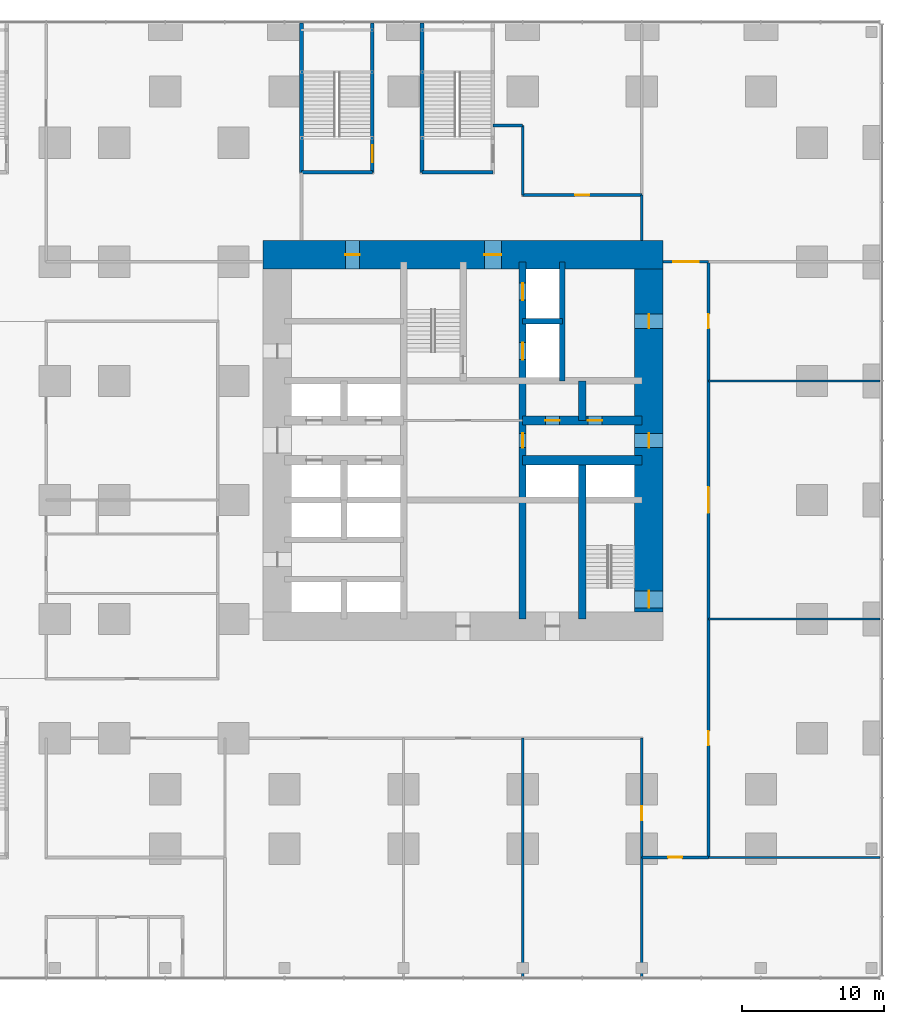
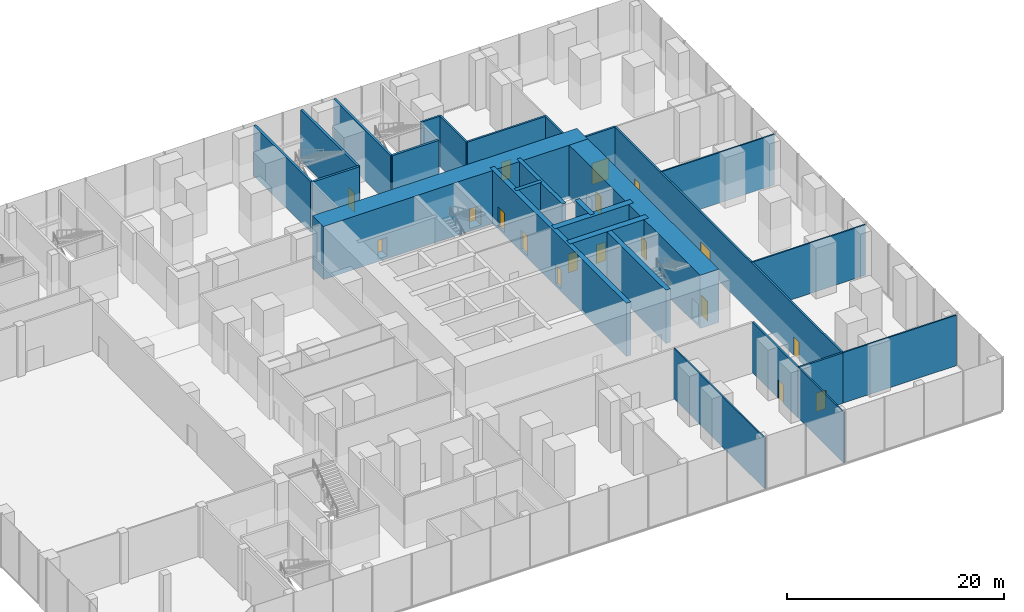
# One storey, part 28 of 32: 27 walls, 18 doors, 18 openings.
"""IFC4 building model written with IfcOpenShell, lengths in metres."""

from ifc_helpers import new_model, si_unit, direction, frame, frame_2d, origin, place, context, subcontext, project, spatial, rectangle, extrude, material, layer, layer_set, type_object, element, fill, save


model = new_model("IFC4")

# Units and contexts
model_context = context("Model", 3, precision=1e-05, world=origin(), true_north=direction((0.0, 1.0)))
body_context = subcontext(model_context, "Body", "Model", "MODEL_VIEW")
ifc_project = project(units=[si_unit("LENGTHUNIT", "METRE"), si_unit("AREAUNIT", "SQUARE_METRE"), si_unit("VOLUMEUNIT", "CUBIC_METRE"), si_unit("PLANEANGLEUNIT", "RADIAN"), si_unit("MASSUNIT", "GRAM", prefix="KILO")], contexts=[model_context])

# Site, building, storey
site_placement = place(None, origin())
site = spatial("IfcSite", under=ifc_project, at=site_placement, CompositionType="ELEMENT")
building_placement = place(site_placement, origin())
building = spatial("IfcBuilding", under=site, at=building_placement, Name="Dunama Terrace Hotel", CompositionType="ELEMENT")
storey_placement = place(building_placement, frame((0.0, 0.0, 6.0)))
storey = spatial("IfcBuildingStorey", under=building, at=storey_placement, Name="L01", CompositionType="ELEMENT", Elevation=6.0)

# Walls
ifc_material_1 = material(Name="Concrete C50/60", Category="concrete")
ifc_layer_1 = layer(ifc_material_1, 0.39990234375)
ifc_layer_set_1 = layer_set([ifc_layer_1], Name="Core inner wall 400")
wall_type_1 = type_object("IfcWallType", Name="Core inner wall 400", PredefinedType="SHEAR", material=ifc_layer_set_1)
wall_1_placement = place(storey_placement, frame((36.39990234375, 33.60009765625, -0.300048828125), z_axis=(0.0, 0.0, 1.0), x_axis=(0.0, 1.0, 0.0)))
element("IfcWall", 1, at=wall_1_placement, inside=storey, type_object=wall_type_1, Name="Core inner wall 400 L01", PredefinedType="SHEAR", context=body_context, shape_type="SweptSolid", body=[
    extrude(rectangle(XDim=8.39990234375, YDim=0.39990234375, at=frame_2d((4.199951171875, 0.0))), origin(), (0.0, 0.0, 1.0), 6.0),
])
wall_2_placement = place(storey_placement, frame((33.60009765625, 37.800048828125, -0.300048828125), z_axis=(0.0, 0.0, 1.0), x_axis=(1.0, 0.0, 0.0)))
element("IfcWall", 2, at=wall_2_placement, inside=storey, type_object=wall_type_1, Name="Core inner wall 400 L01", PredefinedType="SHEAR", context=body_context, shape_type="SweptSolid", body=[
    extrude(rectangle(XDim=2.7998046875, YDim=0.39990234375, at=frame_2d((1.39990234375, 0.0))), origin(), (0.0, 0.0, 1.0), 6.0),
])

# Wall, openings, doors
ifc_material_2 = material(Name="Concrete C50/60", Category="concrete")
ifc_layer_2 = layer(ifc_material_2, 0.5)
ifc_layer_set_2 = layer_set([ifc_layer_2], Name="Core inner wall 500")
wall_type_2 = type_object("IfcWallType", Name="Core inner wall 500", PredefinedType="SHEAR", material=ifc_layer_set_2)
wall_3_placement = place(storey_placement, frame((33.60009765625, 16.800048828125, -0.300048828125), z_axis=(0.0, 0.0, 1.0), x_axis=(0.0, 1.0, 0.0)))
wall_3 = element("IfcWall", 3, at=wall_3_placement, inside=storey, type_object=wall_type_2, Name="Core inner wall 500 L01", PredefinedType="SHEAR", context=body_context, shape_type="SweptSolid", body=[
    extrude(rectangle(XDim=25.199951171875, YDim=0.5, at=frame_2d((12.60009765625, 0.0))), origin(), (0.0, 0.0, 1.0), 6.0),
])
opening_1_placement = place(wall_3_placement, frame((22.5, 0.0, 0.300048828125)))
opening_1 = element("IfcOpeningElement", 4, at=opening_1_placement, cuts=wall_3, Name="Opening L01-013", PredefinedType="OPENING", context=body_context, shape_type="SweptSolid", body=[
    extrude(rectangle(XDim=1.199951171875, YDim=2.199951171875, at=frame_2d((0.60009765625, 1.10009765625))), frame((0.0, 0.260009765625, 0.0), z_axis=(0.0, -1.0, 0.0), x_axis=(1.0, 0.0, 0.0)), (0.0, 0.0, 1.0), 0.52001953125),
])
opening_2_placement = place(wall_3_placement, frame((18.300048828125, 0.0, 0.300048828125)))
opening_2 = element("IfcOpeningElement", 5, at=opening_2_placement, cuts=wall_3, Name="Opening L01-014", PredefinedType="OPENING", context=body_context, shape_type="SweptSolid", body=[
    extrude(rectangle(XDim=1.199951171875, YDim=2.199951171875, at=frame_2d((0.60009765625, 1.10009765625))), frame((0.0, 0.260009765625, 0.0), z_axis=(0.0, -1.0, 0.0), x_axis=(1.0, 0.0, 0.0)), (0.0, 0.0, 1.0), 0.52001953125),
])
opening_3_placement = place(wall_3_placement, frame((12.10009765625, 0.0, 0.300048828125)))
opening_3 = element("IfcOpeningElement", 6, at=opening_3_placement, cuts=wall_3, Name="Opening L01-019", PredefinedType="OPENING", context=body_context, shape_type="SweptSolid", body=[
    extrude(rectangle(XDim=1.0, YDim=2.10009765625, at=frame_2d((0.5, 1.050048828125))), frame((0.0, 0.260009765625, 0.0), z_axis=(0.0, -1.0, 0.0), x_axis=(1.0, 0.0, 0.0)), (0.0, 0.0, 1.0), 0.52001953125),
])
ifc_material_3 = material(Name="Stainless steel lift door", Category="steel")
door_type_1 = type_object("IfcDoorType", Name="Firefighting lift landing door 1200", OperationType="DOUBLE_DOOR_SLIDING", PredefinedType="DOOR", material=ifc_material_3)
door_1_placement = place(opening_1_placement, origin())
door_1 = element("IfcDoor", 7, at=door_1_placement, inside=storey, type_object=door_type_1, Name="Landing door FL1 L01-013, type LD2", OperationType="DOUBLE_DOOR_SLIDING", OverallHeight=2.199951171875, OverallWidth=1.199951171875, PredefinedType="DOOR", context=body_context, shape_type="SweptSolid", body=[
    extrude(rectangle(XDim=1.199951171875, YDim=2.199951171875, at=frame_2d((0.60009765625, 1.10009765625))), frame((0.0, 0.02490234375, 0.0), z_axis=(0.0, -1.0, 0.0), x_axis=(1.0, 0.0, 0.0)), (0.0, 0.0, 1.0), 0.050048828125),
])
fill(opening_1, door_1)
door_2_placement = place(opening_2_placement, origin())
door_2 = element("IfcDoor", 8, at=door_2_placement, inside=storey, type_object=door_type_1, Name="Landing door FL2 L01-014, type LD2", OperationType="DOUBLE_DOOR_SLIDING", OverallHeight=2.199951171875, OverallWidth=1.199951171875, PredefinedType="DOOR", context=body_context, shape_type="SweptSolid", body=[
    extrude(rectangle(XDim=1.199951171875, YDim=2.199951171875, at=frame_2d((0.60009765625, 1.10009765625))), frame((0.0, 0.02490234375, 0.0), z_axis=(0.0, -1.0, 0.0), x_axis=(1.0, 0.0, 0.0)), (0.0, 0.0, 1.0), 0.050048828125),
])
fill(opening_2, door_2)
ifc_material_4 = material(Name="Timber door with steel frame", Category="steel")
door_type_2 = type_object("IfcDoorType", Name="Service door 1000", OperationType="SINGLE_SWING_LEFT", PredefinedType="DOOR", material=ifc_material_4)
door_3_placement = place(opening_3_placement, origin())
door_3 = element("IfcDoor", 9, at=door_3_placement, inside=storey, type_object=door_type_2, Name="Door to housekeeping store L01-019, type D7", OperationType="SINGLE_SWING_LEFT", OverallHeight=2.10009765625, OverallWidth=1.0, PredefinedType="DOOR", context=body_context, shape_type="SweptSolid", body=[
    extrude(rectangle(XDim=1.0, YDim=2.10009765625, at=frame_2d((0.5, 1.050048828125))), frame((0.0, 0.02490234375, 0.0), z_axis=(0.0, -1.0, 0.0), x_axis=(1.0, 0.0, 0.0)), (0.0, 0.0, 1.0), 0.050048828125),
])
fill(opening_3, door_3)

# Walls
wall_4_placement = place(storey_placement, frame((37.800048828125, 16.800048828125, -0.300048828125), z_axis=(0.0, 0.0, 1.0), x_axis=(0.0, 1.0, 0.0)))
element("IfcWall", 10, at=wall_4_placement, inside=storey, type_object=wall_type_2, Name="Core inner wall 500 L01", PredefinedType="SHEAR", context=body_context, shape_type="SweptSolid", body=[
    extrude(rectangle(XDim=11.199951171875, YDim=0.5, at=frame_2d((5.60009765625, 0.0))), origin(), (0.0, 0.0, 1.0), 6.0),
])
wall_5_placement = place(storey_placement, frame((37.800048828125, 30.800048828125, -0.300048828125), z_axis=(0.0, 0.0, 1.0), x_axis=(0.0, 1.0, 0.0)))
element("IfcWall", 11, at=wall_5_placement, inside=storey, type_object=wall_type_2, Name="Core inner wall 500 L01", PredefinedType="SHEAR", context=body_context, shape_type="SweptSolid", body=[
    extrude(rectangle(XDim=2.800048828125, YDim=0.5, at=frame_2d((1.39990234375, 0.0))), origin(), (0.0, 0.0, 1.0), 6.0),
])
ifc_material_5 = material(Name="Concrete C50/60", Category="concrete")
ifc_layer_3 = layer(ifc_material_5, 0.64990234375)
ifc_layer_set_3 = layer_set([ifc_layer_3], Name="Core inner wall 650")
wall_type_3 = type_object("IfcWallType", Name="Core inner wall 650", PredefinedType="SHEAR", material=ifc_layer_set_3)
wall_6_placement = place(storey_placement, frame((33.60009765625, 28.0, -0.300048828125), z_axis=(0.0, 0.0, 1.0), x_axis=(1.0, 0.0, 0.0)))
element("IfcWall", 12, at=wall_6_placement, inside=storey, type_object=wall_type_3, Name="Core inner wall 650 L01", PredefinedType="SHEAR", context=body_context, shape_type="SweptSolid", body=[
    extrude(rectangle(XDim=8.39990234375, YDim=0.64990234375, at=frame_2d((4.199951171875, 0.0))), origin(), (0.0, 0.0, 1.0), 6.0),
])

# Wall, openings, doors
wall_7_placement = place(storey_placement, frame((33.60009765625, 30.800048828125, -0.300048828125), z_axis=(0.0, 0.0, 1.0), x_axis=(1.0, 0.0, 0.0)))
wall_7 = element("IfcWall", 13, at=wall_7_placement, inside=storey, type_object=wall_type_3, Name="Core inner wall 650 L01", PredefinedType="SHEAR", context=body_context, shape_type="SweptSolid", body=[
    extrude(rectangle(XDim=8.39990234375, YDim=0.64990234375, at=frame_2d((4.199951171875, 0.0))), origin(), (0.0, 0.0, 1.0), 6.0),
])
opening_4_placement = place(wall_7_placement, frame((1.60009765625, 0.0, 0.300048828125)))
opening_4 = element("IfcOpeningElement", 14, at=opening_4_placement, cuts=wall_7, Name="Opening L01-021", PredefinedType="OPENING", context=body_context, shape_type="SweptSolid", body=[
    extrude(rectangle(XDim=1.0, YDim=2.10009765625, at=frame_2d((0.5, 1.050048828125))), frame((0.0, 0.3349609375, 0.0), z_axis=(0.0, -1.0, 0.0), x_axis=(1.0, 0.0, 0.0)), (0.0, 0.0, 1.0), 0.669921875),
])
opening_5_placement = place(wall_7_placement, frame((4.60009765625, 0.0, 0.300048828125)))
opening_5 = element("IfcOpeningElement", 15, at=opening_5_placement, cuts=wall_7, Name="Opening L01-022", PredefinedType="OPENING", context=body_context, shape_type="SweptSolid", body=[
    extrude(rectangle(XDim=1.0, YDim=2.10009765625, at=frame_2d((0.5, 1.050048828125))), frame((0.0, 0.3349609375, 0.0), z_axis=(0.0, -1.0, 0.0), x_axis=(1.0, 0.0, 0.0)), (0.0, 0.0, 1.0), 0.669921875),
])
door_4_placement = place(opening_4_placement, origin())
door_4 = element("IfcDoor", 16, at=door_4_placement, inside=storey, type_object=door_type_2, Name="Door to service riser L01-021, type D7", OperationType="SINGLE_SWING_RIGHT", OverallHeight=2.10009765625, OverallWidth=1.0, PredefinedType="DOOR", context=body_context, shape_type="SweptSolid", body=[
    extrude(rectangle(XDim=1.0, YDim=2.10009765625, at=frame_2d((0.5, 1.050048828125))), frame((0.0, 0.02490234375, 0.0), z_axis=(0.0, -1.0, 0.0), x_axis=(1.0, 0.0, 0.0)), (0.0, 0.0, 1.0), 0.050048828125),
])
fill(opening_4, door_4)
door_5_placement = place(opening_5_placement, origin())
door_5 = element("IfcDoor", 17, at=door_5_placement, inside=storey, type_object=door_type_2, Name="Door to it room L01-022, type D7", OperationType="SINGLE_SWING_LEFT", OverallHeight=2.10009765625, OverallWidth=1.0, PredefinedType="DOOR", context=body_context, shape_type="SweptSolid", body=[
    extrude(rectangle(XDim=1.0, YDim=2.10009765625, at=frame_2d((0.5, 1.050048828125))), frame((0.0, 0.02490234375, 0.0), z_axis=(0.0, -1.0, 0.0), x_axis=(1.0, 0.0, 0.0)), (0.0, 0.0, 1.0), 0.050048828125),
])
fill(opening_5, door_5)

ifc_material_6 = material(Name="Concrete C60/75", Category="concrete")
ifc_layer_4 = layer(ifc_material_6, 2.0)
ifc_layer_set_4 = layer_set([ifc_layer_4], Name="Core wall 2000")
wall_type_4 = type_object("IfcWallType", Name="Core wall 2000", PredefinedType="SHEAR", material=ifc_layer_set_4)
wall_8_placement = place(storey_placement, frame((42.5, 17.300048828125, -0.300048828125), z_axis=(0.0, 0.0, 1.0), x_axis=(0.0, 1.0, 0.0)))
wall_8 = element("IfcWall", 18, at=wall_8_placement, inside=storey, type_object=wall_type_4, Name="Core wall east L01", PredefinedType="SHEAR", context=body_context, shape_type="SweptSolid", body=[
    extrude(rectangle(XDim=24.199951171875, YDim=2.0, at=frame_2d((12.10009765625, 0.0))), origin(), (0.0, 0.0, 1.0), 6.0),
])
opening_6_placement = place(wall_8_placement, frame((0.300048828125, 0.0, 0.300048828125)))
opening_6 = element("IfcOpeningElement", 19, at=opening_6_placement, cuts=wall_8, Name="Opening L01-002", PredefinedType="OPENING", context=body_context, shape_type="SweptSolid", body=[
    extrude(rectangle(XDim=1.199951171875, YDim=2.199951171875, at=frame_2d((0.60009765625, 1.10009765625))), frame((0.0, 1.010009765625, 0.0), z_axis=(0.0, -1.0, 0.0), x_axis=(1.0, 0.0, 0.0)), (0.0, 0.0, 1.0), 2.02001953125),
])
opening_7_placement = place(wall_8_placement, frame((11.60009765625, 0.0, 0.300048828125)))
opening_7 = element("IfcOpeningElement", 20, at=opening_7_placement, cuts=wall_8, Name="Opening L01-023", PredefinedType="OPENING", context=body_context, shape_type="SweptSolid", body=[
    extrude(rectangle(XDim=1.0, YDim=2.10009765625, at=frame_2d((0.5, 1.050048828125))), frame((0.0, 1.010009765625, 0.0), z_axis=(0.0, -1.0, 0.0), x_axis=(1.0, 0.0, 0.0)), (0.0, 0.0, 1.0), 2.02001953125),
])
opening_8_placement = place(wall_8_placement, frame((20.0, 0.0, 0.300048828125)))
opening_8 = element("IfcOpeningElement", 21, at=opening_8_placement, cuts=wall_8, Name="Opening L01-025", PredefinedType="OPENING", context=body_context, shape_type="SweptSolid", body=[
    extrude(rectangle(XDim=1.0, YDim=2.10009765625, at=frame_2d((0.5, 1.050048828125))), frame((0.0, 1.010009765625, 0.0), z_axis=(0.0, -1.0, 0.0), x_axis=(1.0, 0.0, 0.0)), (0.0, 0.0, 1.0), 2.02001953125),
])
door_6_placement = place(opening_7_placement, origin())
door_6 = element("IfcDoor", 22, at=door_6_placement, inside=storey, type_object=door_type_2, Name="Door to service lobby L01-023, type D7", OperationType="SINGLE_SWING_LEFT", OverallHeight=2.10009765625, OverallWidth=1.0, PredefinedType="DOOR", context=body_context, shape_type="SweptSolid", body=[
    extrude(rectangle(XDim=1.0, YDim=2.10009765625, at=frame_2d((0.5, 1.050048828125))), frame((0.0, 0.02490234375, 0.0), z_axis=(0.0, -1.0, 0.0), x_axis=(1.0, 0.0, 0.0)), (0.0, 0.0, 1.0), 0.050048828125),
])
fill(opening_7, door_6)
door_7_placement = place(opening_8_placement, origin())
door_7 = element("IfcDoor", 23, at=door_7_placement, inside=storey, type_object=door_type_2, Name="Door to banquet linen store L01-025, type D7", OperationType="SINGLE_SWING_RIGHT", OverallHeight=2.10009765625, OverallWidth=1.0, PredefinedType="DOOR", context=body_context, shape_type="SweptSolid", body=[
    extrude(rectangle(XDim=1.0, YDim=2.10009765625, at=frame_2d((0.5, 1.050048828125))), frame((0.0, 0.02490234375, 0.0), z_axis=(0.0, -1.0, 0.0), x_axis=(1.0, 0.0, 0.0)), (0.0, 0.0, 1.0), 0.050048828125),
])
fill(opening_8, door_7)
ifc_material_7 = material(Name="Timber door with steel frame", Category="steel")
door_type_3 = type_object("IfcDoorType", Name="Stair door 1200", OperationType="SINGLE_SWING_LEFT", PredefinedType="DOOR", material=ifc_material_7)
door_8_placement = place(opening_6_placement, origin())
door_8 = element("IfcDoor", 24, at=door_8_placement, inside=storey, type_object=door_type_3, Name="Stair door ST2 L01-002, type D5", OperationType="SINGLE_SWING_LEFT", OverallHeight=2.199951171875, OverallWidth=1.199951171875, PredefinedType="DOOR", context=body_context, shape_type="SweptSolid", body=[
    extrude(rectangle(XDim=1.199951171875, YDim=2.199951171875, at=frame_2d((0.60009765625, 1.10009765625))), frame((0.0, 0.02490234375, 0.0), z_axis=(0.0, -1.0, 0.0), x_axis=(1.0, 0.0, 0.0)), (0.0, 0.0, 1.0), 0.050048828125),
])
fill(opening_6, door_8)

wall_9_placement = place(storey_placement, frame((43.5, 42.5, -0.300048828125), z_axis=(0.0, 0.0, 1.0), x_axis=(-1.0, 0.0, 0.0)))
wall_9 = element("IfcWall", 25, at=wall_9_placement, inside=storey, type_object=wall_type_4, Name="Core wall north L01", PredefinedType="SHEAR", context=body_context, shape_type="SweptSolid", body=[
    extrude(rectangle(XDim=28.199951171875, YDim=2.0, at=frame_2d((14.10009765625, 0.0))), origin(), (0.0, 0.0, 1.0), 6.0),
])
opening_9_placement = place(wall_9_placement, frame((21.39990234375, 0.0, 0.300048828125)))
opening_9 = element("IfcOpeningElement", 26, at=opening_9_placement, cuts=wall_9, Name="Opening L01-018", PredefinedType="OPENING", context=body_context, shape_type="SweptSolid", body=[
    extrude(rectangle(XDim=1.0, YDim=2.10009765625, at=frame_2d((0.5, 1.050048828125))), frame((0.0, 1.010009765625, 0.0), z_axis=(0.0, -1.0, 0.0), x_axis=(1.0, 0.0, 0.0)), (0.0, 0.0, 1.0), 2.02001953125),
])
opening_10_placement = place(wall_9_placement, frame((11.39990234375, 0.0, 0.300048828125)))
opening_10 = element("IfcOpeningElement", 27, at=opening_10_placement, cuts=wall_9, Name="Opening L01-024", PredefinedType="OPENING", context=body_context, shape_type="SweptSolid", body=[
    extrude(rectangle(XDim=1.199951171875, YDim=2.199951171875, at=frame_2d((0.60009765625, 1.10009765625))), frame((0.0, 1.010009765625, 0.0), z_axis=(0.0, -1.0, 0.0), x_axis=(1.0, 0.0, 0.0)), (0.0, 0.0, 1.0), 2.02001953125),
])
ifc_material_8 = material(Name="Timber door with steel frame", Category="steel")
door_type_4 = type_object("IfcDoorType", Name="Firefighting lobby door 1200", OperationType="SINGLE_SWING_LEFT", PredefinedType="DOOR", material=ifc_material_8)
door_9_placement = place(opening_10_placement, origin())
door_9 = element("IfcDoor", 28, at=door_9_placement, inside=storey, type_object=door_type_4, Name="Door to firefighting lobby L01-024, type D4", OperationType="SINGLE_SWING_LEFT", OverallHeight=2.199951171875, OverallWidth=1.199951171875, PredefinedType="DOOR", context=body_context, shape_type="SweptSolid", body=[
    extrude(rectangle(XDim=1.199951171875, YDim=2.199951171875, at=frame_2d((0.60009765625, 1.10009765625))), frame((0.0, 0.02490234375, 0.0), z_axis=(0.0, -1.0, 0.0), x_axis=(1.0, 0.0, 0.0)), (0.0, 0.0, 1.0), 0.050048828125),
])
fill(opening_10, door_9)
door_10_placement = place(opening_9_placement, origin())
door_10 = element("IfcDoor", 29, at=door_10_placement, inside=storey, type_object=door_type_2, Name="Door to communications and riser room L01-018, type D7", OperationType="SINGLE_SWING_LEFT", OverallHeight=2.10009765625, OverallWidth=1.0, PredefinedType="DOOR", context=body_context, shape_type="SweptSolid", body=[
    extrude(rectangle(XDim=1.0, YDim=2.10009765625, at=frame_2d((0.5, 1.050048828125))), frame((0.0, 0.02490234375, 0.0), z_axis=(0.0, -1.0, 0.0), x_axis=(1.0, 0.0, 0.0)), (0.0, 0.0, 1.0), 0.050048828125),
])
fill(opening_9, door_10)

# Wall
ifc_material_9 = material(Name="Concrete blockwork", Category="masonry")
ifc_layer_5 = layer(ifc_material_9, 0.199951171875)
ifc_layer_set_5 = layer_set([ifc_layer_5], Name="Corridor partition 200")
wall_type_5 = type_object("IfcWallType", Name="Corridor partition 200", PredefinedType="PARTITIONING", material=ifc_layer_set_5)
wall_10_placement = place(storey_placement, frame((33.60009765625, 46.699951171875, 0.0), z_axis=(0.0, 0.0, 1.0), x_axis=(0.0, 1.0, 0.0)))
element("IfcWall", 30, at=wall_10_placement, inside=storey, type_object=wall_type_5, Name="Corridor partition 200 L01", PredefinedType="PARTITIONING", context=body_context, shape_type="SweptSolid", body=[
    extrude(rectangle(XDim=4.900146484375, YDim=0.199951171875, at=frame_2d((2.4501953125, 0.0))), origin(), (0.0, 0.0, 1.0), 5.699951171875),
])

# Wall, opening, door
wall_11_placement = place(storey_placement, frame((42.0, 0.0, 0.0), z_axis=(0.0, 0.0, 1.0), x_axis=(0.0, 1.0, 0.0)))
wall_11 = element("IfcWall", 31, at=wall_11_placement, inside=storey, type_object=wall_type_5, Name="Corridor partition 200 L01", PredefinedType="PARTITIONING", context=body_context, shape_type="SweptSolid", body=[
    extrude(rectangle(XDim=8.39990234375, YDim=0.199951171875, at=frame_2d((4.199951171875, 0.0))), origin(), (0.0, 0.0, 1.0), 5.699951171875),
])
opening_11_placement = place(wall_11_placement, frame((2.60009765625, 0.0, 0.0)))
opening_11 = element("IfcOpeningElement", 32, at=opening_11_placement, cuts=wall_11, Name="Opening L01-052", PredefinedType="OPENING", context=body_context, shape_type="SweptSolid", body=[
    extrude(rectangle(XDim=1.0, YDim=2.10009765625, at=frame_2d((0.5, 1.050048828125))), frame((0.0, 0.10986328125, 0.0), z_axis=(0.0, -1.0, 0.0), x_axis=(1.0, 0.0, 0.0)), (0.0, 0.0, 1.0), 0.219970703125),
])
door_11_placement = place(opening_11_placement, origin())
door_11 = element("IfcDoor", 33, at=door_11_placement, inside=storey, type_object=door_type_2, Name="Door to audio-visual control office L01-052, type D7", OperationType="SINGLE_SWING_RIGHT", OverallHeight=2.10009765625, OverallWidth=1.0, PredefinedType="DOOR", context=body_context, shape_type="SweptSolid", body=[
    extrude(rectangle(XDim=1.0, YDim=2.10009765625, at=frame_2d((0.5, 1.050048828125))), frame((0.0, 0.02490234375, 0.0), z_axis=(0.0, -1.0, 0.0), x_axis=(1.0, 0.0, 0.0)), (0.0, 0.0, 1.0), 0.050048828125),
])
fill(opening_11, door_11)

# Wall
wall_12_placement = place(storey_placement, frame((42.0, 43.5, 0.0), z_axis=(0.0, 0.0, 1.0), x_axis=(0.0, 1.0, 0.0)))
element("IfcWall", 34, at=wall_12_placement, inside=storey, type_object=wall_type_5, Name="Corridor partition 200 L01", PredefinedType="PARTITIONING", context=body_context, shape_type="SweptSolid", body=[
    extrude(rectangle(XDim=3.199951171875, YDim=0.199951171875, at=frame_2d((1.60009765625, 0.0))), origin(), (0.0, 0.0, 1.0), 5.699951171875),
])

# Wall, openings, doors
wall_13_placement = place(storey_placement, frame((46.699951171875, 0.0, 0.0), z_axis=(0.0, 0.0, 1.0), x_axis=(0.0, 1.0, 0.0)))
wall_13 = element("IfcWall", 35, at=wall_13_placement, inside=storey, type_object=wall_type_5, Name="Corridor partition 200 L01", PredefinedType="PARTITIONING", context=body_context, shape_type="SweptSolid", body=[
    extrude(rectangle(XDim=42.0, YDim=0.199951171875, at=frame_2d((21.0, 0.0))), origin(), (0.0, 0.0, 1.0), 5.699951171875),
])
opening_12_placement = place(wall_13_placement, frame((24.300048828125, 0.0, 0.0)))
opening_12 = element("IfcOpeningElement", 36, at=opening_12_placement, cuts=wall_13, Name="Opening L01-039", PredefinedType="OPENING", context=body_context, shape_type="SweptSolid", body=[
    extrude(rectangle(XDim=1.800048828125, YDim=2.39990234375, at=frame_2d((0.89990234375, 1.199951171875))), frame((0.0, 0.10986328125, 0.0), z_axis=(0.0, -1.0, 0.0), x_axis=(1.0, 0.0, 0.0)), (0.0, 0.0, 1.0), 0.219970703125),
])
opening_13_placement = place(wall_13_placement, frame((7.89990234375, 0.0, 0.0)))
opening_13 = element("IfcOpeningElement", 37, at=opening_13_placement, cuts=wall_13, Name="Opening L01-053", PredefinedType="OPENING", context=body_context, shape_type="SweptSolid", body=[
    extrude(rectangle(XDim=1.0, YDim=2.10009765625, at=frame_2d((0.5, 1.050048828125))), frame((0.0, 0.10986328125, 0.0), z_axis=(0.0, -1.0, 0.0), x_axis=(1.0, 0.0, 0.0)), (0.0, 0.0, 1.0), 0.219970703125),
])
opening_14_placement = place(wall_13_placement, frame((37.300048828125, 0.0, 0.0)))
opening_14 = element("IfcOpeningElement", 38, at=opening_14_placement, cuts=wall_13, Name="Opening L01-054", PredefinedType="OPENING", context=body_context, shape_type="SweptSolid", body=[
    extrude(rectangle(XDim=1.0, YDim=2.10009765625, at=frame_2d((0.5, 1.050048828125))), frame((0.0, 0.10986328125, 0.0), z_axis=(0.0, -1.0, 0.0), x_axis=(1.0, 0.0, 0.0)), (0.0, 0.0, 1.0), 0.219970703125),
])
ifc_material_10 = material(Name="Aluminium-framed glazed door", Category="aluminium")
door_type_5 = type_object("IfcDoorType", Name="Glazed double door 1800", OperationType="DOUBLE_DOOR_DOUBLE_SWING", PredefinedType="DOOR", material=ifc_material_10)
door_12_placement = place(opening_12_placement, origin())
door_12 = element("IfcDoor", 39, at=door_12_placement, inside=storey, type_object=door_type_5, Name="Door to meeting room 3 L01-039, type D8", OperationType="DOUBLE_DOOR_DOUBLE_SWING", OverallHeight=2.39990234375, OverallWidth=1.800048828125, PredefinedType="DOOR", context=body_context, shape_type="SweptSolid", body=[
    extrude(rectangle(XDim=1.800048828125, YDim=2.39990234375, at=frame_2d((0.89990234375, 1.199951171875))), frame((0.0, 0.02490234375, 0.0), z_axis=(0.0, -1.0, 0.0), x_axis=(1.0, 0.0, 0.0)), (0.0, 0.0, 1.0), 0.050048828125),
])
fill(opening_12, door_12)
door_13_placement = place(opening_13_placement, frame((1.0, 0.0, 0.0), z_axis=(0.0, 0.0, 1.0), x_axis=(-1.0, 0.0, 0.0)))
door_13 = element("IfcDoor", 40, at=door_13_placement, inside=storey, type_object=door_type_2, Name="Door to conference services office L01-053, type D7", OperationType="SINGLE_SWING_RIGHT", OverallHeight=2.10009765625, OverallWidth=1.0, PredefinedType="DOOR", context=body_context, shape_type="SweptSolid", body=[
    extrude(rectangle(XDim=1.0, YDim=2.10009765625, at=frame_2d((0.5, 1.050048828125))), frame((0.0, 0.025146484375, 0.0), z_axis=(0.0, -1.0, 0.0), x_axis=(1.0, 0.0, 0.0)), (0.0, 0.0, 1.0), 0.050048828125),
])
fill(opening_13, door_13)
door_14_placement = place(opening_14_placement, frame((1.0, 0.0, 0.0), z_axis=(0.0, 0.0, 1.0), x_axis=(-1.0, 0.0, 0.0)))
door_14 = element("IfcDoor", 41, at=door_14_placement, inside=storey, type_object=door_type_2, Name="Door to event coordination office L01-054, type D7", OperationType="SINGLE_SWING_RIGHT", OverallHeight=2.10009765625, OverallWidth=1.0, PredefinedType="DOOR", context=body_context, shape_type="SweptSolid", body=[
    extrude(rectangle(XDim=1.0, YDim=2.10009765625, at=frame_2d((0.5, 1.050048828125))), frame((0.0, 0.025146484375, 0.0), z_axis=(0.0, -1.0, 0.0), x_axis=(1.0, 0.0, 0.0)), (0.0, 0.0, 1.0), 0.050048828125),
])
fill(opening_14, door_14)

# Wall, opening, door
wall_14_placement = place(storey_placement, frame((42.0, 0.0, 0.0), z_axis=(0.0, 0.0, 1.0), x_axis=(1.0, 0.0, 0.0)))
wall_14 = element("IfcWall", 42, at=wall_14_placement, inside=storey, type_object=wall_type_5, Name="Corridor partition 200 L01", PredefinedType="PARTITIONING", context=body_context, shape_type="SweptSolid", body=[
    extrude(rectangle(XDim=4.699951171875, YDim=0.199951171875, at=frame_2d((2.35009765625, 0.0))), origin(), (0.0, 0.0, 1.0), 5.699951171875),
])
opening_15_placement = place(wall_14_placement, frame((1.85009765625, 0.0, 0.0)))
opening_15 = element("IfcOpeningElement", 43, at=opening_15_placement, cuts=wall_14, Name="Opening L01-040", PredefinedType="OPENING", context=body_context, shape_type="SweptSolid", body=[
    extrude(rectangle(XDim=1.0, YDim=2.10009765625, at=frame_2d((0.5, 1.050048828125))), frame((0.0, 0.10986328125, 0.0), z_axis=(0.0, -1.0, 0.0), x_axis=(1.0, 0.0, 0.0)), (0.0, 0.0, 1.0), 0.219970703125),
])
door_15_placement = place(opening_15_placement, frame((1.0, 0.0, 0.0), z_axis=(0.0, 0.0, 1.0), x_axis=(-1.0, 0.0, 0.0)))
door_15 = element("IfcDoor", 44, at=door_15_placement, inside=storey, type_object=door_type_2, Name="Door to banquet office L01-040, type D7", OperationType="SINGLE_SWING_RIGHT", OverallHeight=2.10009765625, OverallWidth=1.0, PredefinedType="DOOR", context=body_context, shape_type="SweptSolid", body=[
    extrude(rectangle(XDim=1.0, YDim=2.10009765625, at=frame_2d((0.5, 1.050048828125))), frame((0.0, 0.025146484375, 0.0), z_axis=(0.0, -1.0, 0.0), x_axis=(1.0, 0.0, 0.0)), (0.0, 0.0, 1.0), 0.050048828125),
])
fill(opening_15, door_15)

wall_15_placement = place(storey_placement, frame((33.60009765625, 46.699951171875, 0.0), z_axis=(0.0, 0.0, 1.0), x_axis=(1.0, 0.0, 0.0)))
wall_15 = element("IfcWall", 45, at=wall_15_placement, inside=storey, type_object=wall_type_5, Name="Corridor partition 200 L01", PredefinedType="PARTITIONING", context=body_context, shape_type="SweptSolid", body=[
    extrude(rectangle(XDim=8.39990234375, YDim=0.199951171875, at=frame_2d((4.199951171875, 0.0))), origin(), (0.0, 0.0, 1.0), 5.699951171875),
])
opening_16_placement = place(wall_15_placement, frame((3.699951171875, 0.0, 0.0)))
opening_16 = element("IfcOpeningElement", 46, at=opening_16_placement, cuts=wall_15, Name="Opening L01-055", PredefinedType="OPENING", context=body_context, shape_type="SweptSolid", body=[
    extrude(rectangle(XDim=1.0, YDim=2.10009765625, at=frame_2d((0.5, 1.050048828125))), frame((0.0, 0.10986328125, 0.0), z_axis=(0.0, -1.0, 0.0), x_axis=(1.0, 0.0, 0.0)), (0.0, 0.0, 1.0), 0.219970703125),
])
door_16_placement = place(opening_16_placement, origin())
door_16 = element("IfcDoor", 47, at=door_16_placement, inside=storey, type_object=door_type_2, Name="Door to interpreters office L01-055, type D7", OperationType="SINGLE_SWING_LEFT", OverallHeight=2.10009765625, OverallWidth=1.0, PredefinedType="DOOR", context=body_context, shape_type="SweptSolid", body=[
    extrude(rectangle(XDim=1.0, YDim=2.10009765625, at=frame_2d((0.5, 1.050048828125))), frame((0.0, 0.02490234375, 0.0), z_axis=(0.0, -1.0, 0.0), x_axis=(1.0, 0.0, 0.0)), (0.0, 0.0, 1.0), 0.050048828125),
])
fill(opening_16, door_16)

# Wall
wall_16_placement = place(storey_placement, frame((31.5, 51.60009765625, 0.0), z_axis=(0.0, 0.0, 1.0), x_axis=(1.0, 0.0, 0.0)))
element("IfcWall", 48, at=wall_16_placement, inside=storey, type_object=wall_type_5, Name="Corridor partition 200 L01", PredefinedType="PARTITIONING", context=body_context, shape_type="SweptSolid", body=[
    extrude(rectangle(XDim=2.10009765625, YDim=0.199951171875, at=frame_2d((1.050048828125, 0.0))), origin(), (0.0, 0.0, 1.0), 5.699951171875),
])

# Wall, opening, door
wall_17_placement = place(storey_placement, frame((46.699951171875, 42.0, 0.0), z_axis=(0.0, 0.0, 1.0), x_axis=(-1.0, 0.0, 0.0)))
wall_17 = element("IfcWall", 49, at=wall_17_placement, inside=storey, type_object=wall_type_5, Name="Corridor partition 200 L01", PredefinedType="PARTITIONING", context=body_context, shape_type="SweptSolid", body=[
    extrude(rectangle(XDim=3.199951171875, YDim=0.199951171875, at=frame_2d((1.60009765625, 0.0))), origin(), (0.0, 0.0, 1.0), 5.699951171875),
])
opening_17_placement = place(wall_17_placement, frame((0.699951171875, 0.0, 0.0)))
opening_17 = element("IfcOpeningElement", 50, at=opening_17_placement, cuts=wall_17, Name="Opening L01-038", PredefinedType="OPENING", context=body_context, shape_type="SweptSolid", body=[
    extrude(rectangle(XDim=1.800048828125, YDim=2.39990234375, at=frame_2d((0.89990234375, 1.199951171875))), frame((0.0, 0.10986328125, 0.0), z_axis=(0.0, -1.0, 0.0), x_axis=(1.0, 0.0, 0.0)), (0.0, 0.0, 1.0), 0.219970703125),
])
door_17_placement = place(opening_17_placement, origin())
door_17 = element("IfcDoor", 51, at=door_17_placement, inside=storey, type_object=door_type_5, Name="Door to meeting room 2 L01-038, type D8", OperationType="DOUBLE_DOOR_DOUBLE_SWING", OverallHeight=2.39990234375, OverallWidth=1.800048828125, PredefinedType="DOOR", context=body_context, shape_type="SweptSolid", body=[
    extrude(rectangle(XDim=1.800048828125, YDim=2.39990234375, at=frame_2d((0.89990234375, 1.199951171875))), frame((0.0, 0.02490234375, 0.0), z_axis=(0.0, -1.0, 0.0), x_axis=(1.0, 0.0, 0.0)), (0.0, 0.0, 1.0), 0.050048828125),
])
fill(opening_17, door_17)

# Walls
ifc_material_11 = material(Name="Gypsum board partition", Category="masonry")
ifc_layer_6 = layer(ifc_material_11, 0.14990234375)
ifc_layer_set_6 = layer_set([ifc_layer_6], Name="Room partition 150")
wall_type_6 = type_object("IfcWallType", Name="Room partition 150", PredefinedType="PARTITIONING", material=ifc_layer_set_6)
wall_18_placement = place(storey_placement, frame((33.60009765625, -8.39990234375, 0.0), z_axis=(0.0, 0.0, 1.0), x_axis=(0.0, 1.0, 0.0)))
element("IfcWall", 52, at=wall_18_placement, inside=storey, type_object=wall_type_6, Name="Room partition 150 L01", PredefinedType="PARTITIONING", context=body_context, shape_type="SweptSolid", body=[
    extrude(rectangle(XDim=16.7998046875, YDim=0.14990234375, at=frame_2d((8.39990234375, 0.0))), origin(), (0.0, 0.0, 1.0), 5.699951171875),
])
wall_19_placement = place(storey_placement, frame((42.0, -8.39990234375, 0.0), z_axis=(0.0, 0.0, 1.0), x_axis=(0.0, 1.0, 0.0)))
element("IfcWall", 53, at=wall_19_placement, inside=storey, type_object=wall_type_6, Name="Room partition 150 L01", PredefinedType="PARTITIONING", context=body_context, shape_type="SweptSolid", body=[
    extrude(rectangle(XDim=8.39990234375, YDim=0.14990234375, at=frame_2d((4.199951171875, 0.0))), origin(), (0.0, 0.0, 1.0), 5.699951171875),
])
for number, where, z_axis, x_axis, name in (
    (54, (46.699951171875, 0.0, 0.0), (0.0, 0.0, 1.0), (1.0, 0.0, 0.0), "Room partition 150 L01"),
    (55, (46.699951171875, 16.800048828125, 0.0), (0.0, 0.0, 1.0), (1.0, 0.0, 0.0), "Room partition 150 L01"),
    (56, (46.699951171875, 33.60009765625, 0.0), (0.0, 0.0, 1.0), (1.0, 0.0, 0.0), "Room partition 150 L01"),
):
    element("IfcWall", number, at=place(storey_placement, frame(where, z_axis=z_axis, x_axis=x_axis)), inside=storey, type_object=wall_type_6, Name=name, PredefinedType="PARTITIONING", context=body_context, shape_type="SweptSolid", body=[
        extrude(rectangle(XDim=12.10009765625, YDim=0.14990234375, at=frame_2d((6.050048828125, 0.0))), origin(), (0.0, 0.0, 1.0), 5.699951171875),
    ])
ifc_material_12 = material(Name="Concrete blockwork", Category="masonry")
ifc_layer_7 = layer(ifc_material_12, 0.25)
ifc_layer_set_7 = layer_set([ifc_layer_7], Name="Stair enclosure wall 250")
wall_type_7 = type_object("IfcWallType", Name="Stair enclosure wall 250", PredefinedType="PARTITIONING", material=ifc_layer_set_7)
wall_20_placement = place(storey_placement, frame((18.0, 48.300048828125, 0.0), z_axis=(0.0, 0.0, 1.0), x_axis=(0.0, 1.0, 0.0)))
element("IfcWall", 57, at=wall_20_placement, inside=storey, type_object=wall_type_7, Name="Stair enclosure wall 250 L01", PredefinedType="PARTITIONING", context=body_context, shape_type="SweptSolid", body=[
    extrude(rectangle(XDim=10.52294921875, YDim=0.25, at=frame_2d((5.261474609375, 0.0))), origin(), (0.0, 0.0, 1.0), 5.699951171875),
])

# Wall, opening, door
wall_21_placement = place(storey_placement, frame((23.0, 48.300048828125, 0.0), z_axis=(0.0, 0.0, 1.0), x_axis=(0.0, 1.0, 0.0)))
wall_21 = element("IfcWall", 58, at=wall_21_placement, inside=storey, type_object=wall_type_7, Name="Stair enclosure wall 250 L01", PredefinedType="PARTITIONING", context=body_context, shape_type="SweptSolid", body=[
    extrude(rectangle(XDim=10.52294921875, YDim=0.25, at=frame_2d((5.261474609375, 0.0))), origin(), (0.0, 0.0, 1.0), 5.699951171875),
])
opening_18_placement = place(wall_21_placement, frame((0.72509765625, 0.0, 0.0)))
opening_18 = element("IfcOpeningElement", 59, at=opening_18_placement, cuts=wall_21, Name="Opening L01-007", PredefinedType="OPENING", context=body_context, shape_type="SweptSolid", body=[
    extrude(rectangle(XDim=1.199951171875, YDim=2.199951171875, at=frame_2d((0.60009765625, 1.10009765625))), frame((0.0, 0.135009765625, 0.0), z_axis=(0.0, -1.0, 0.0), x_axis=(1.0, 0.0, 0.0)), (0.0, 0.0, 1.0), 0.27001953125),
])
door_18_placement = place(opening_18_placement, origin())
door_18 = element("IfcDoor", 60, at=door_18_placement, inside=storey, type_object=door_type_3, Name="Stair door P5 L01-007, type D5", OperationType="SINGLE_SWING_RIGHT", OverallHeight=2.199951171875, OverallWidth=1.199951171875, PredefinedType="DOOR", context=body_context, shape_type="SweptSolid", body=[
    extrude(rectangle(XDim=1.199951171875, YDim=2.199951171875, at=frame_2d((0.60009765625, 1.10009765625))), frame((0.0, 0.02490234375, 0.0), z_axis=(0.0, -1.0, 0.0), x_axis=(1.0, 0.0, 0.0)), (0.0, 0.0, 1.0), 0.050048828125),
])
fill(opening_18, door_18)

# Walls
wall_22_placement = place(storey_placement, frame((26.5, 48.300048828125, 0.0), z_axis=(0.0, 0.0, 1.0), x_axis=(0.0, 1.0, 0.0)))
element("IfcWall", 61, at=wall_22_placement, inside=storey, type_object=wall_type_7, Name="Stair enclosure wall 250 L01", PredefinedType="PARTITIONING", context=body_context, shape_type="SweptSolid", body=[
    extrude(rectangle(XDim=10.52294921875, YDim=0.25, at=frame_2d((5.261474609375, 0.0))), origin(), (0.0, 0.0, 1.0), 5.699951171875),
])
for number, where, z_axis, x_axis, name in (
    (62, (18.0, 48.300048828125, 0.0), (0.0, 0.0, 1.0), (1.0, 0.0, 0.0), "Stair enclosure wall 250 L01"),
    (63, (26.5, 48.300048828125, 0.0), (0.0, 0.0, 1.0), (1.0, 0.0, 0.0), "Stair enclosure wall 250 L01"),
):
    element("IfcWall", number, at=place(storey_placement, frame(where, z_axis=z_axis, x_axis=x_axis)), inside=storey, type_object=wall_type_7, Name=name, PredefinedType="PARTITIONING", context=body_context, shape_type="SweptSolid", body=[
        extrude(rectangle(XDim=5.0, YDim=0.25, at=frame_2d((2.5, 0.0))), origin(), (0.0, 0.0, 1.0), 5.699951171875),
    ])

save(model, "model.ifc")
